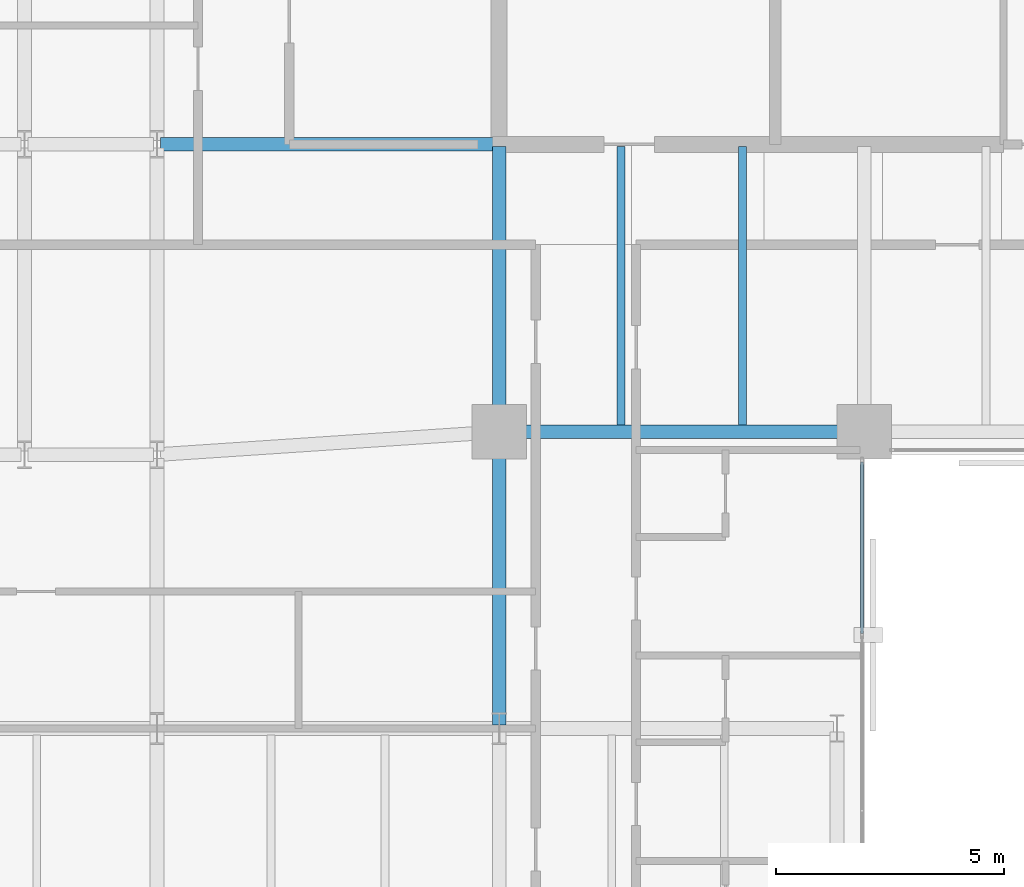
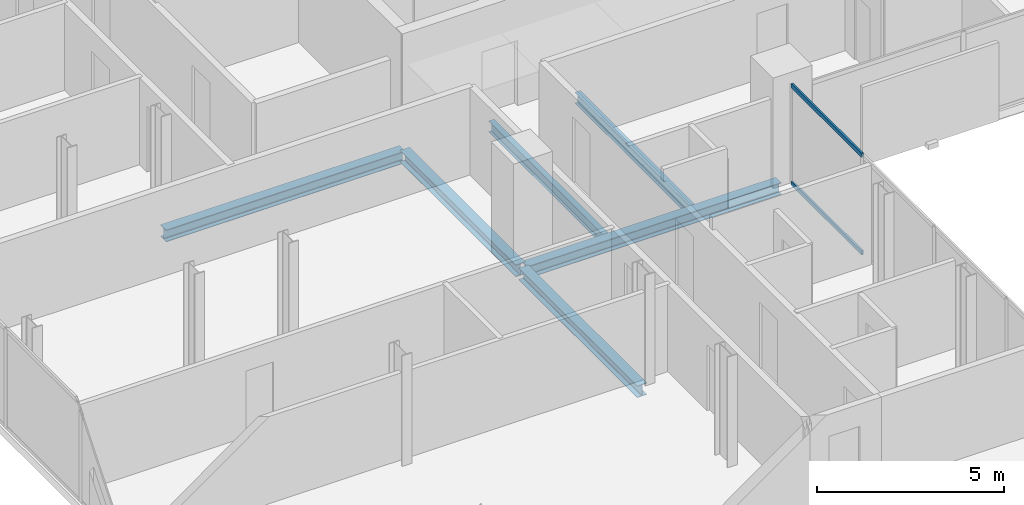
# One storey, part 12 of 32: 6 beams, 2 members, 1 element without a shape of its own.
"""IFC4 building model written with IfcOpenShell, lengths in metres."""

from ifc_helpers import new_model, si_unit, direction, frame, origin, origin_2d, place, context, subcontext, project, spatial, hollow_rectangle, i_section, extrude, material, layer, layer_set, material_profile, profile_set, type_object, element, aggregate, save


model = new_model("IFC4")

# Units and contexts
model_context = context("Model", 3, precision=1e-05, world=origin(), true_north=direction((0.0, 1.0)))
body_context = subcontext(model_context, "Body", "Model", "MODEL_VIEW")
ifc_project = project(units=[si_unit("LENGTHUNIT", "METRE"), si_unit("AREAUNIT", "SQUARE_METRE"), si_unit("VOLUMEUNIT", "CUBIC_METRE"), si_unit("PLANEANGLEUNIT", "RADIAN"), si_unit("MASSUNIT", "GRAM", prefix="KILO")], contexts=[model_context])

# Site, building, storey
site_placement = place(None, origin())
site = spatial("IfcSite", under=ifc_project, at=site_placement, CompositionType="ELEMENT")
building_placement = place(site_placement, origin())
building = spatial("IfcBuilding", under=site, at=building_placement, Name="Catumbela Crestline Tower", CompositionType="ELEMENT")
storey_placement = place(building_placement, frame((0.0, 0.0, 140.4)))
storey = spatial("IfcBuildingStorey", under=building, at=storey_placement, Name="L36", CompositionType="ELEMENT", Elevation=140.4)

# Beams
ifc_material_1 = material(Name="Structural steel S355J2", Category="steel")
ifc_material_profile_1 = material_profile(ifc_material_1, i_section(OverallWidth=0.3, OverallDepth=0.39, WebThickness=0.011, FlangeThickness=0.019, FilletRadius=0.027, at=origin_2d()), Name="HEA 400")
ifc_profile_set_1 = profile_set([ifc_material_profile_1], Name="Structural steel S355J2")
beam_type_1 = type_object("IfcBeamType", Name="BG-HEA400", PredefinedType="BEAM", material=ifc_profile_set_1)
beam_1_placement = place(storey_placement, frame((16.08, 24.5, -0.455), z_axis=(1.0, 0.0, 0.0), x_axis=(0.0, 1.0, 0.0)))
element("IfcBeam", 1, at=beam_1_placement, inside=storey, type_object=beam_type_1, Name="L36 Beam BM-L36-S04", PredefinedType="BEAM", context=body_context, shape_type="SweptSolid", body=[
    extrude(i_section(OverallWidth=0.3, OverallDepth=0.39, WebThickness=0.011, FlangeThickness=0.019, FilletRadius=0.027, at=origin_2d()), origin(), (0.0, 0.0, 1.0), 7.84),
])
beam_2_placement = place(storey_placement, frame((8.58, 30.8, -0.455), z_axis=(1.0, 0.0, 0.0), x_axis=(0.0, 1.0, 0.0)))
element("IfcBeam", 2, at=beam_2_placement, inside=storey, type_object=beam_type_1, Name="L36 Beam BM-L36-M09", PredefinedType="BEAM", context=body_context, shape_type="SweptSolid", body=[
    extrude(i_section(OverallWidth=0.3, OverallDepth=0.39, WebThickness=0.011, FlangeThickness=0.019, FilletRadius=0.027, at=origin_2d()), origin(), (0.0, 0.0, 1.0), 7.37),
])
beam_3_placement = place(storey_placement, frame((16.0, 24.58, -0.455), z_axis=(0.0, 1.0, 0.0), x_axis=(-1.0, 0.0, 0.0)))
element("IfcBeam", 3, at=beam_3_placement, inside=storey, type_object=beam_type_1, Name="L36 Beam BM-L36-SNS28", PredefinedType="BEAM", context=body_context, shape_type="SweptSolid", body=[
    extrude(i_section(OverallWidth=0.3, OverallDepth=0.39, WebThickness=0.011, FlangeThickness=0.019, FilletRadius=0.027, at=origin_2d()), origin(), (0.0, 0.0, 1.0), 6.17),
])
beam_4_placement = place(storey_placement, frame((16.0, 18.08, -0.455), z_axis=(0.0, 1.0, 0.0), x_axis=(-1.0, 0.0, 0.0)))
element("IfcBeam", 4, at=beam_4_placement, inside=storey, type_object=beam_type_1, Name="L36 Beam BM-L36-WNS60", PredefinedType="BEAM", context=body_context, shape_type="SweptSolid", body=[
    extrude(i_section(OverallWidth=0.3, OverallDepth=0.39, WebThickness=0.011, FlangeThickness=0.019, FilletRadius=0.027, at=origin_2d()), origin(), (0.0, 0.0, 1.0), 6.34),
])
ifc_material_profile_2 = material_profile(ifc_material_1, i_section(OverallWidth=0.17, OverallDepth=0.36, WebThickness=0.008, FlangeThickness=0.0127, FilletRadius=0.018, at=origin_2d()), Name="IPE 360")
ifc_profile_set_2 = profile_set([ifc_material_profile_2], Name="Structural steel S355J2")
beam_type_2 = type_object("IfcBeamType", Name="BJ-IPE360", PredefinedType="JOIST", material=ifc_profile_set_2)
for number, where, z_axis, x_axis, name in (
    (5, (18.667, 24.647, -0.44), (0.0, 1.0, 0.0), (-1.0, 0.0, 0.0), "L36 Joist JS-L36-SP37"),
    (6, (21.333, 24.647, -0.44), (0.0, 1.0, 0.0), (-1.0, 0.0, 0.0), "L36 Joist JS-L36-SP38"),
):
    element("IfcBeam", number, at=place(storey_placement, frame(where, z_axis=z_axis, x_axis=x_axis)), inside=storey, type_object=beam_type_2, Name=name, PredefinedType="JOIST", context=body_context, shape_type="SweptSolid", body=[
        extrude(i_section(OverallWidth=0.17, OverallDepth=0.36, WebThickness=0.008, FlangeThickness=0.0127, FilletRadius=0.018, at=origin_2d()), origin(), (0.0, 0.0, 1.0), 6.103),
    ])

# Curtain wall, members
ifc_material_2 = material(Name="Aluminium alloy AW-6060-T66", Category="aluminium")
ifc_layer = layer(ifc_material_2, 0.18, Name="Aluminium alloy AW-6060-T66")
ifc_layer_set = layer_set([ifc_layer], Name="Aluminium alloy AW-6060-T66")
curtain_wall_type = type_object("IfcCurtainWallType", Name="CWU-Z2", PredefinedType="USERDEFINED", material=ifc_layer_set)
curtain_wall_placement = place(storey_placement, origin())
curtain_wall = element("IfcCurtainWall", 7, at=curtain_wall_placement, inside=storey, type_object=curtain_wall_type, Name="L36 Unitised Curtain Wall CW-L36-E2S1", ObjectType="UNITISED", PredefinedType="USERDEFINED")
ifc_material_profile_3 = material_profile(ifc_material_2, hollow_rectangle(XDim=0.06, YDim=0.14, WallThickness=0.004, at=origin_2d()), Name="ALU 140x60x4")
ifc_profile_set_3 = profile_set([ifc_material_profile_3], Name="Aluminium alloy AW-6060-T66")
member_type = type_object("IfcMemberType", Name="TRN-140X60", PredefinedType="USERDEFINED", material=ifc_profile_set_3)
member_1_placement = place(storey_placement, frame((23.95, 20.0825, 0.03), z_axis=(0.0, 1.0, 0.0), x_axis=(-1.0, 0.0, 0.0)))
member_1 = element("IfcMember", 8, at=member_1_placement, type_object=member_type, Name="CWU-Z2 transom 4.1", ObjectType="TRANSOM", PredefinedType="USERDEFINED", context=body_context, shape_type="SweptSolid", body=[
    extrude(hollow_rectangle(XDim=0.06, YDim=0.14, WallThickness=0.004, at=origin_2d()), origin(), (0.0, 0.0, 1.0), 3.7525),
])
member_2_placement = place(storey_placement, frame((23.95, 20.0825, 3.21), z_axis=(0.0, 1.0, 0.0), x_axis=(-1.0, 0.0, 0.0)))
member_2 = element("IfcMember", 9, at=member_2_placement, type_object=member_type, Name="CWU-Z2 transom 4.2", ObjectType="TRANSOM", PredefinedType="USERDEFINED", context=body_context, shape_type="SweptSolid", body=[
    extrude(hollow_rectangle(XDim=0.06, YDim=0.14, WallThickness=0.004, at=origin_2d()), origin(), (0.0, 0.0, 1.0), 3.7525),
])
aggregate(curtain_wall, [member_1, member_2])

save(model, "model.ifc")
